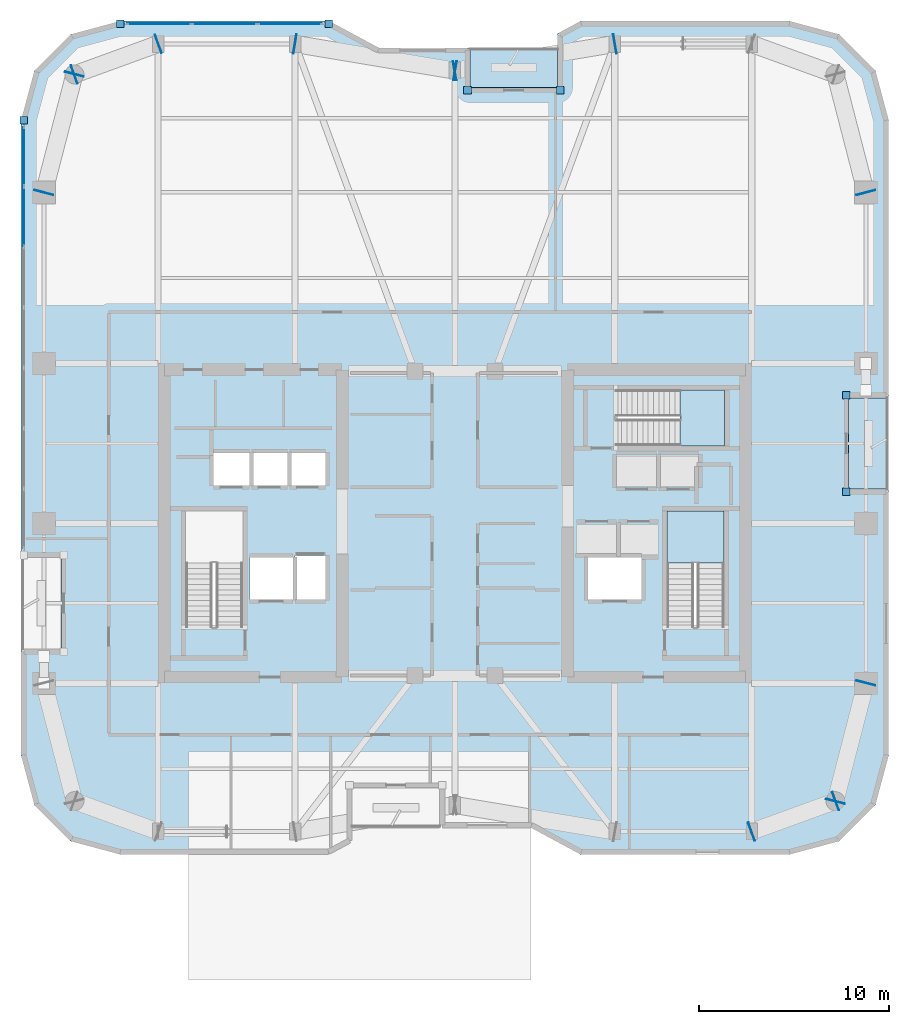
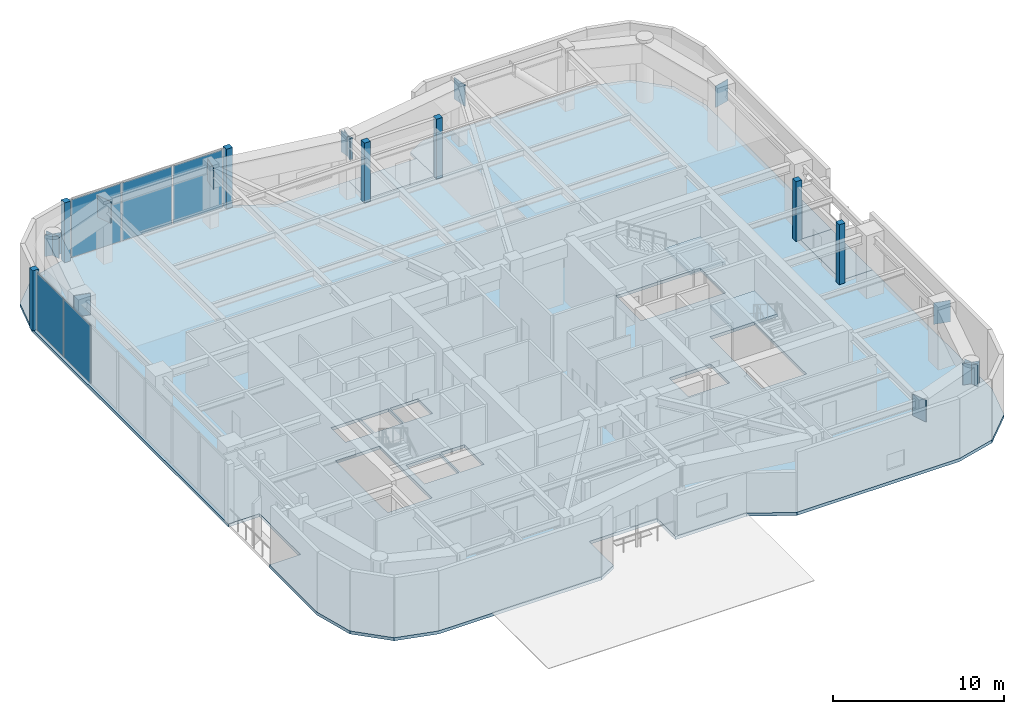
# One storey, part 9 of 18: 25 plates, 5 slabs, 4 elements without a shape of their own.
"""IFC4 building model written with IfcOpenShell, lengths in metres."""

from ifc_helpers import new_model, si_unit, direction, frame, origin, origin_2d, place, context, subcontext, project, spatial, polyline, rectangle, outline, extrude, material, layer, layer_set, type_object, element, aggregate, save


model = new_model("IFC4")

# Units and contexts
model_context = context("Model", 3, precision=1e-05, world=origin(), true_north=direction((0.0, 1.0)))
body_context = subcontext(model_context, "Body", "Model", "MODEL_VIEW")
ifc_project = project(units=[si_unit("LENGTHUNIT", "METRE"), si_unit("AREAUNIT", "SQUARE_METRE"), si_unit("VOLUMEUNIT", "CUBIC_METRE"), si_unit("PLANEANGLEUNIT", "RADIAN"), si_unit("MASSUNIT", "GRAM", prefix="KILO")], contexts=[model_context])

# Site, building, storey
site_placement = place(None, origin())
site = spatial("IfcSite", under=ifc_project, at=site_placement, CompositionType="ELEMENT")
building_placement = place(site_placement, origin())
building = spatial("IfcBuilding", under=site, at=building_placement, Name="Kiyonajd Concourse Tower", CompositionType="ELEMENT")
storey_placement = place(building_placement, frame((0.0, 0.0, 214.800048828125)))
storey = spatial("IfcBuildingStorey", under=building, at=storey_placement, Name="L54", CompositionType="ELEMENT", Elevation=214.800048828125)

# Plates
ifc_material_1 = material(Name="Steel ASTM A572 Grade 50", Category="steel")
ifc_layer_1 = layer(ifc_material_1, 0.031982421875)
ifc_layer_set_1 = layer_set([ifc_layer_1], Name="Steel ASTM A572 Grade 50")
plate_type_1 = type_object("IfcPlateType", Name="PL-CAP-540", PredefinedType="USERDEFINED", material=ifc_layer_set_1)
for number, where, z_axis, x_axis, name in (
    (1, (63.589599609375, 19.796142578125, 2.809814453125), (0.0, 0.0, 1.0), (-0.939811951086, -0.341692107891, 0.0), "L54 Welded Box Girder End Cap"),
    (2, (68.01025390625, 21.40380859375, 2.809814453125), (0.0, 0.0, 1.0), (0.939811951086, 0.341692107891, 0.0), "L54 Welded Box Girder End Cap"),
    (3, (67.997314453125, 21.389404296875, 2.809814453125), (0.0, 0.0, 1.0), (-0.249873048837, -0.968278606324, 0.0), "L54 Welded Box Girder End Cap"),
    (4, (69.602783203125, 27.610595703125, 2.809814453125), (0.0, 0.0, 1.0), (0.249873048837, 0.968278606324, 0.0), "L54 Welded Box Girder End Cap"),
    (5, (69.602783203125, 53.389404296875, 2.809814453125), (0.0, 0.0, 1.0), (0.249873048837, -0.968278606324, 0.0), "L54 Welded Box Girder End Cap"),
    (6, (56.410888671875, 61.201904296875, 2.809814453125), (0.0, 0.0, 1.0), (0.986400586142, 0.164359008451, 0.0), "L54 Welded Box Girder End Cap"),
    (7, (47.989013671875, 59.798095703125, 2.809814453125), (0.0, 0.0, 1.0), (-0.986400586142, -0.164359008451, 0.0), "L54 Welded Box Girder End Cap"),
    (8, (48.010986328125, 59.798095703125, 2.809814453125), (0.0, 0.0, 1.0), (0.986400586142, -0.164359008451, 0.0), "L54 Welded Box Girder End Cap"),
    (9, (39.589111328125, 61.201904296875, 2.809814453125), (0.0, 0.0, 1.0), (-0.986400586142, 0.164359008451, 0.0), "L54 Welded Box Girder End Cap"),
    (10, (32.410400390625, 61.203857421875, 2.809814453125), (0.0, 0.0, 1.0), (0.939811951086, 0.341692107891, 0.0), "L54 Welded Box Girder End Cap"),
    (11, (27.98974609375, 59.59619140625, 2.809814453125), (0.0, 0.0, 1.0), (-0.939811951086, -0.341692107891, 0.0), "L54 Welded Box Girder End Cap"),
    (12, (28.002685546875, 59.610595703125, 2.809814453125), (0.0, 0.0, 1.0), (0.249873048837, 0.968278606324, 0.0), "L54 Welded Box Girder End Cap"),
    (13, (26.397216796875, 53.389404296875, 2.809814453125), (0.0, 0.0, 1.0), (-0.249873048837, -0.968278606324, 0.0), "L54 Welded Box Girder End Cap"),
):
    element("IfcPlate", number, at=place(storey_placement, frame(where, z_axis=z_axis, x_axis=x_axis)), inside=storey, type_object=plate_type_1, Name=name, ObjectType="CAP PLATE", PredefinedType="USERDEFINED", context=body_context, shape_type="SweptSolid", body=[
        extrude(rectangle(XDim=0.035888671875, YDim=1.02001953125, at=origin_2d()), origin(), (0.0, 0.0, 1.0), 1.5400390625),
    ])

# Curtain wall, plates
ifc_material_2 = material(Name="Thermally Broken Anodised Aluminium", Category="aluminium")
ifc_layer_2 = layer(ifc_material_2, 0.179931640625)
ifc_layer_set_2 = layer_set([ifc_layer_2], Name="Thermally Broken Anodised Aluminium")
curtain_wall_type = type_object("IfcCurtainWallType", Name="CW-SYS-05", PredefinedType="NOTDEFINED", material=ifc_layer_set_2)
curtain_wall_1_placement = place(storey_placement, origin())
curtain_wall_1 = element("IfcCurtainWall", 14, at=curtain_wall_1_placement, inside=storey, type_object=curtain_wall_type, Name="L54 Unitised Curtain Wall CW5", PredefinedType="NOTDEFINED")
ifc_material_3 = material(Name="Double Low-E Insulated Glass", Category="glass")
ifc_layer_3 = layer(ifc_material_3, 0.0400390625)
ifc_layer_set_3 = layer_set([ifc_layer_3], Name="Double Low-E Insulated Glass")
plate_type_2 = type_object("IfcPlateType", Name="PL-CW-VIS40", PredefinedType="CURTAIN_PANEL", material=ifc_layer_set_3)
plate_1_placement = place(storey_placement, frame((25.340087890625, 52.121337890625, 0.074951171875), z_axis=(0.0, 0.0, 1.0), x_axis=(0.0, 1.0, 0.0)))
plate_1 = element("IfcPlate", 15, at=plate_1_placement, type_object=plate_type_2, Name="CW5 panel 6.1", PredefinedType="CURTAIN_PANEL", context=body_context, shape_type="SweptSolid", body=[
    extrude(rectangle(XDim=3.105224609375, YDim=0.0400390625, at=origin_2d()), origin(), (0.0, 0.0, 1.0), 4.1298828125),
])
plate_2_placement = place(storey_placement, frame((25.340087890625, 55.28271484375, 0.074951171875), z_axis=(0.0, 0.0, 1.0), x_axis=(0.0, 1.0, 0.0)))
plate_2 = element("IfcPlate", 16, at=plate_2_placement, type_object=plate_type_2, Name="CW5 panel 7.1", PredefinedType="CURTAIN_PANEL", context=body_context, shape_type="SweptSolid", body=[
    extrude(rectangle(XDim=3.067626953125, YDim=0.0400390625, at=origin_2d()), origin(), (0.0, 0.0, 1.0), 4.1298828125),
])
aggregate(curtain_wall_1, [plate_1, plate_2])

curtain_wall_2_placement = place(storey_placement, origin())
curtain_wall_2 = element("IfcCurtainWall", 17, at=curtain_wall_2_placement, inside=storey, type_object=curtain_wall_type, Name="L54 Unitised Curtain Wall CW5", PredefinedType="NOTDEFINED")
plate_3_placement = place(storey_placement, frame((32.454833984375, 62.260009765625, 0.074951171875), z_axis=(0.0, 0.0, 1.0), x_axis=(1.0, 0.0, 0.0)))
plate_3 = element("IfcPlate", 18, at=plate_3_placement, type_object=plate_type_2, Name="CW5 panel 1.1", PredefinedType="CURTAIN_PANEL", context=body_context, shape_type="SweptSolid", body=[
    extrude(rectangle(XDim=3.343017578125, YDim=0.0400390625, at=origin_2d()), origin(), (0.0, 0.0, 1.0), 4.1298828125),
])
plate_4_placement = place(storey_placement, frame((35.8916015625, 62.260009765625, 0.074951171875), z_axis=(0.0, 0.0, 1.0), x_axis=(1.0, 0.0, 0.0)))
plate_4 = element("IfcPlate", 19, at=plate_4_placement, type_object=plate_type_2, Name="CW5 panel 2.1", PredefinedType="CURTAIN_PANEL", context=body_context, shape_type="SweptSolid", body=[
    extrude(rectangle(XDim=3.38037109375, YDim=0.0400390625, at=origin_2d()), origin(), (0.0, 0.0, 1.0), 4.1298828125),
])
plate_5_placement = place(storey_placement, frame((39.328125, 62.260009765625, 0.074951171875), z_axis=(0.0, 0.0, 1.0), x_axis=(1.0, 0.0, 0.0)))
plate_5 = element("IfcPlate", 20, at=plate_5_placement, type_object=plate_type_2, Name="CW5 panel 3.1", PredefinedType="CURTAIN_PANEL", context=body_context, shape_type="SweptSolid", body=[
    extrude(rectangle(XDim=3.343017578125, YDim=0.0400390625, at=origin_2d()), origin(), (0.0, 0.0, 1.0), 4.1298828125),
])
aggregate(curtain_wall_2, [plate_3, plate_4, plate_5])

# Plates
ifc_layer_4 = layer(ifc_material_2, 0.39990234375)
ifc_layer_set_4 = layer_set([ifc_layer_4], Name="Thermally Broken Anodised Aluminium")
plate_type_3 = type_object("IfcPlateType", Name="PL-JMB-400", PredefinedType="USERDEFINED", material=ifc_layer_set_4)
for number, where, z_axis, x_axis, name in (
    (21, (25.340087890625, 57.181640625, 0.0), (0.0, 0.0, 1.0), (1.0, 0.0, 0.0), "L54 Facade Jamb Closure Plate 04"),
    (22, (30.41845703125, 62.260009765625, 0.0), (0.0, 0.0, 1.0), (1.0, 0.0, 0.0), "L54 Facade Jamb Closure Plate 05"),
    (23, (41.36474609375, 62.260009765625, 0.0), (0.0, 0.0, 1.0), (1.0, 0.0, 0.0), "L54 Facade Jamb Closure Plate 06"),
    (24, (48.659912109375, 58.760009765625, 0.0), (0.0, 0.0, 1.0), (1.0, 0.0, 0.0), "L54 Facade Jamb Closure Plate 07"),
    (25, (53.5400390625, 58.760009765625, 0.0), (0.0, 0.0, 1.0), (1.0, 0.0, 0.0), "L54 Facade Jamb Closure Plate 08"),
    (26, (68.56005859375, 42.739990234375, 0.0), (0.0, 0.0, 1.0), (1.0, 0.0, 0.0), "L54 Facade Jamb Closure Plate 09"),
    (27, (68.56005859375, 37.659912109375, 0.0), (0.0, 0.0, 1.0), (1.0, 0.0, 0.0), "L54 Facade Jamb Closure Plate 10"),
):
    element("IfcPlate", number, at=place(storey_placement, frame(where, z_axis=z_axis, x_axis=x_axis)), inside=storey, type_object=plate_type_3, Name=name, ObjectType="JAMB PLATE", PredefinedType="USERDEFINED", context=body_context, shape_type="SweptSolid", body=[
        extrude(rectangle(XDim=0.39990234375, YDim=0.39990234375, at=origin_2d()), origin(), (0.0, 0.0, 1.0), 4.280029296875),
    ])

# Stair, slab
ifc_material_4 = material(Name="Concrete C40/50", Category="concrete")
stair_type = type_object("IfcStairType", Name="ST-DLG-26R", PredefinedType="HALF_TURN_STAIR", material=ifc_material_4)
stair_1_placement = place(storey_placement, origin())
stair_1 = element("IfcStair", 28, at=stair_1_placement, inside=storey, type_object=stair_type, Name="L54 Protected Exit Stair ST2", PredefinedType="HALF_TURN_STAIR")
ifc_layer_5 = layer(ifc_material_4, 0.199951171875)
ifc_layer_set_5 = layer_set([ifc_layer_5], Name="Concrete C40/50")
slab_type_1 = type_object("IfcSlabType", Name="SL-LND-200", PredefinedType="LANDING", material=ifc_layer_set_5)
slab_1_placement = place(storey_placement, frame((0.0, 0.0, 2.050048828125)))
slab_1 = element("IfcSlab", 29, at=slab_1_placement, type_object=slab_type_1, Name="ST2 landing 1", PredefinedType="LANDING", context=body_context, shape_type="SweptSolid", body=[
    extrude(outline(polyline([(62.14990234375, 33.909912109375), (62.14990234375, 36.64990234375), (59.14990234375, 36.64990234375), (59.14990234375, 33.909912109375), (62.14990234375, 33.909912109375)])), origin(), (0.0, 0.0, 1.0), 0.199951171875),
])
aggregate(stair_1, [slab_1])

stair_2_placement = place(storey_placement, origin())
stair_2 = element("IfcStair", 30, at=stair_2_placement, inside=storey, type_object=stair_type, Name="L54 Protected Exit Stair ST3", PredefinedType="HALF_TURN_STAIR")
slab_2_placement = place(storey_placement, frame((0.0, 0.0, 2.050048828125)))
slab_2 = element("IfcSlab", 31, at=slab_2_placement, type_object=slab_type_1, Name="ST3 landing 1", PredefinedType="LANDING", context=body_context, shape_type="SweptSolid", body=[
    extrude(outline(polyline([(59.840087890625, 40.080078125), (62.179931640625, 40.080078125), (62.179931640625, 43.02001953125), (59.840087890625, 43.02001953125), (59.840087890625, 40.080078125)])), origin(), (0.0, 0.0, 1.0), 0.199951171875),
])
aggregate(stair_2, [slab_2])

# Slabs
ifc_material_5 = material(Name="Precast concrete C50/60", Category="concrete")
ifc_layer_6 = layer(ifc_material_5, 0.199951171875)
ifc_layer_set_6 = layer_set([ifc_layer_6], Name="Precast concrete C50/60")
slab_type_2 = type_object("IfcSlabType", Name="SL-LOG-200", PredefinedType="FLOOR", material=ifc_layer_set_6)
slab_3_placement = place(storey_placement, frame((0.0, 0.0, -0.199951171875)))
element("IfcSlab", 32, at=slab_3_placement, inside=storey, type_object=slab_type_2, Name="L54 Recessed Engawa Loggia Terrace Slab LOG-N", PredefinedType="FLOOR", context=body_context, shape_type="SweptSolid", body=[
    extrude(outline(polyline([(48.800048828125, 58.89990234375), (53.39990234375, 58.89990234375), (53.39990234375, 61.0), (48.800048828125, 61.0), (48.800048828125, 58.89990234375)])), origin(), (0.0, 0.0, 1.0), 0.199951171875),
])
slab_4_placement = place(storey_placement, frame((0.0, 0.0, -0.199951171875)))
element("IfcSlab", 33, at=slab_4_placement, inside=storey, type_object=slab_type_2, Name="L54 Recessed Engawa Loggia Terrace Slab LOG-E", PredefinedType="FLOOR", context=body_context, shape_type="SweptSolid", body=[
    extrude(outline(polyline([(68.699951171875, 37.800048828125), (70.800048828125, 37.800048828125), (70.800048828125, 42.60009765625), (68.699951171875, 42.60009765625), (68.699951171875, 37.800048828125)])), origin(), (0.0, 0.0, 1.0), 0.199951171875),
])
ifc_layer_7 = layer(ifc_material_4, 0.219970703125)
ifc_layer_set_7 = layer_set([ifc_layer_7], Name="Concrete C40/50")
slab_type_3 = type_object("IfcSlabType", Name="SL-TWR-220", PredefinedType="FLOOR", material=ifc_layer_set_7)
slab_5_placement = place(storey_placement, frame((0.0, 0.0, -0.219970703125)))
element("IfcSlab", 34, at=slab_5_placement, inside=storey, type_object=slab_type_3, Name="L54 Tower Conditioned Floor Slab", PredefinedType="FLOOR", context=body_context, shape_type="SweptSolid", body=[
    extrude(outline(polyline([(25.89697265625, 21.199951171875), (25.199951171875, 23.800048828125), (25.199951171875, 29.39990234375), (27.300048828125, 29.39990234375), (27.300048828125, 34.199951171875), (25.199951171875, 34.199951171875), (25.199951171875, 57.199951171875), (25.89697265625, 59.800048828125), (27.800048828125, 61.702880859375), (30.39990234375, 62.39990234375), (41.39990234375, 62.39990234375), (44.0, 61.0), (48.800048828125, 61.0), (48.800048828125, 58.89990234375), (53.39990234375, 58.89990234375), (53.39990234375, 61.75390625), (54.60009765625, 62.39990234375), (65.60009765625, 62.39990234375), (68.199951171875, 61.702880859375), (70.10302734375, 59.800048828125), (70.800048828125, 57.199951171875), (70.800048828125, 42.60009765625), (68.699951171875, 42.60009765625), (68.699951171875, 37.800048828125), (70.800048828125, 37.800048828125), (70.800048828125, 23.800048828125), (70.10302734375, 21.199951171875), (68.199951171875, 19.297119140625), (65.60009765625, 18.60009765625), (54.60009765625, 18.60009765625), (52.0, 20.0), (47.199951171875, 20.0), (47.199951171875, 22.10009765625), (42.60009765625, 22.10009765625), (42.60009765625, 19.24609375), (41.39990234375, 18.60009765625), (30.39990234375, 18.60009765625), (27.800048828125, 19.297119140625), (25.89697265625, 21.199951171875)]), holes=[polyline([(39.5, 32.0), (37.199951171875, 32.0), (37.199951171875, 34.199951171875), (39.5, 34.199951171875), (39.5, 32.0)]), polyline([(57.800048828125, 32.0), (55.0, 32.0), (55.0, 34.199951171875), (57.800048828125, 34.199951171875), (57.800048828125, 32.0)]), polyline([(41.199951171875, 32.0), (39.60009765625, 32.0), (39.60009765625, 34.300048828125), (41.199951171875, 34.300048828125), (41.199951171875, 32.0)]), polyline([(36.85009765625, 30.550048828125), (33.85009765625, 30.550048828125), (33.85009765625, 36.64990234375), (36.85009765625, 36.64990234375), (36.85009765625, 30.550048828125)]), polyline([(62.14990234375, 30.550048828125), (59.14990234375, 30.550048828125), (59.14990234375, 36.64990234375), (62.14990234375, 36.64990234375), (62.14990234375, 30.550048828125)]), polyline([(37.199951171875, 38.0), (35.300048828125, 38.0), (35.300048828125, 39.699951171875), (37.199951171875, 39.699951171875), (37.199951171875, 38.0)]), polyline([(39.199951171875, 38.0), (37.300048828125, 38.0), (37.300048828125, 39.699951171875), (39.199951171875, 39.699951171875), (39.199951171875, 38.0)]), polyline([(39.300048828125, 38.0), (39.300048828125, 39.699951171875), (41.199951171875, 39.699951171875), (41.199951171875, 38.0), (39.300048828125, 38.0)]), polyline([(56.47998046875, 43.02001953125), (62.179931640625, 43.02001953125), (62.179931640625, 40.080078125), (56.47998046875, 40.080078125), (56.47998046875, 43.02001953125)])]), origin(), (0.0, 0.0, 1.0), 0.219970703125),
])

save(model, "model.ifc")
